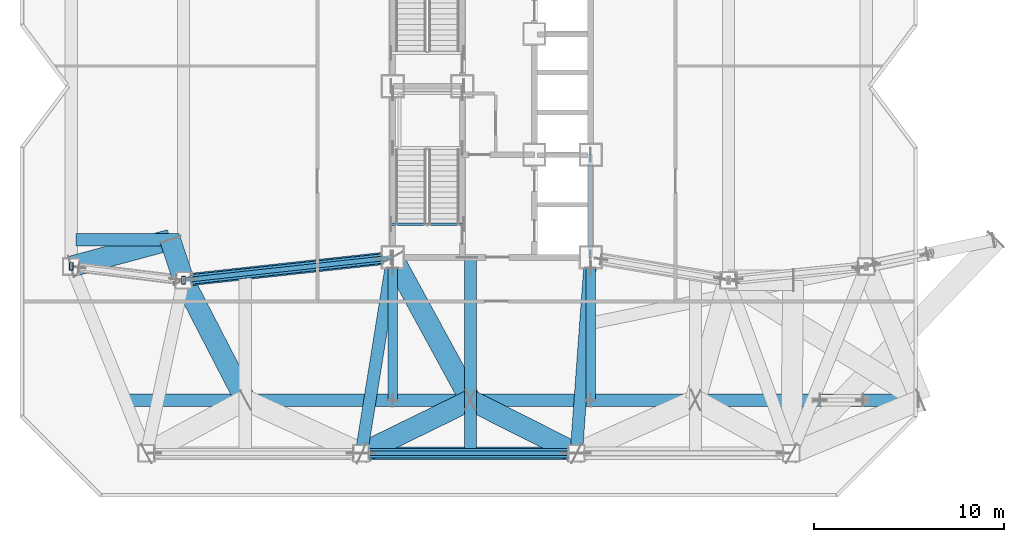
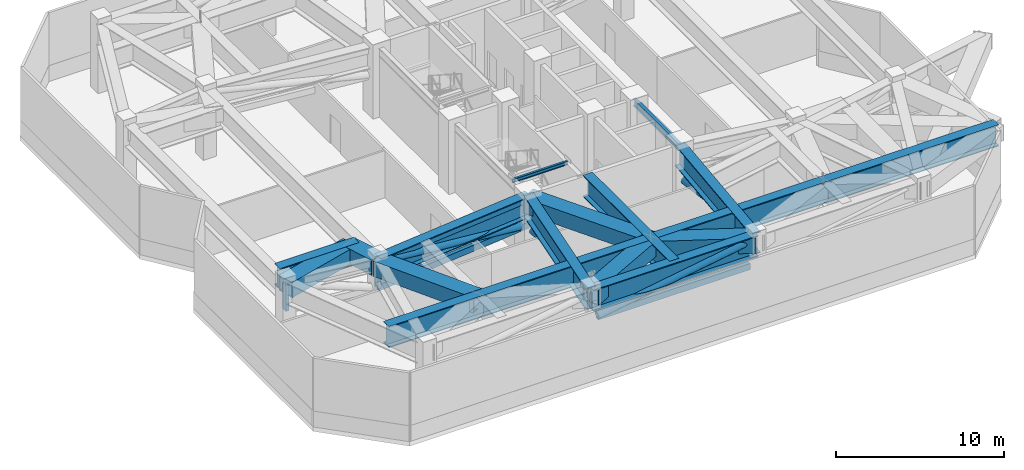
# One storey, part 2 of 19: 15 beams, 9 members.
"""IFC4 building model written with IfcOpenShell, lengths in metres."""

from ifc_helpers import new_model, si_unit, direction, frame, origin, origin_2d, place, context, subcontext, project, spatial, hollow_rectangle, hollow_circle, i_section, extrude, material, material_profile, profile_set, type_object, element, save


model = new_model("IFC4")

# Units and contexts
model_context = context("Model", 3, precision=1e-05, world=origin(), true_north=direction((0.0, 1.0)))
body_context = subcontext(model_context, "Body", "Model", "MODEL_VIEW")
ifc_project = project(units=[si_unit("LENGTHUNIT", "METRE"), si_unit("AREAUNIT", "SQUARE_METRE"), si_unit("VOLUMEUNIT", "CUBIC_METRE"), si_unit("PLANEANGLEUNIT", "RADIAN"), si_unit("MASSUNIT", "GRAM", prefix="KILO")], contexts=[model_context])

# Site, building, storey
site_placement = place(None, origin())
site = spatial("IfcSite", under=ifc_project, at=site_placement, CompositionType="ELEMENT")
building_placement = place(site_placement, origin())
building = spatial("IfcBuilding", under=site, at=building_placement, Name="Khamvora Tower", CompositionType="ELEMENT")
storey_placement = place(building_placement, frame((0.0, 0.0, 150.5)))
storey = spatial("IfcBuildingStorey", under=building, at=storey_placement, Name="L38", CompositionType="ELEMENT", Elevation=150.5)

# Beams
ifc_material_1 = material(Name="Steel S355", Category="steel")
ifc_material_profile_1 = material_profile(ifc_material_1, i_section(OverallWidth=0.14697265625, OverallDepth=0.261962890625, WebThickness=0.007080078125, FlangeThickness=0.010986328125, FilletRadius=0.008056640625, at=origin_2d()), Name="W250x39")
ifc_profile_set_1 = profile_set([ifc_material_profile_1], Name="Steel S355")
beam_type_1 = type_object("IfcBeamType", Name="BM-LN-W250x39", PredefinedType="LINTEL", material=ifc_profile_set_1)
beam_1_placement = place(storey_placement, frame((28.89990234375, 20.75, 4.85400390625), z_axis=(1.0, 0.0, 0.0), x_axis=(0.0, 1.0, 0.0)))
element("IfcBeam", 1, at=beam_1_placement, inside=storey, type_object=beam_type_1, Name="L38 exit stair ST-01 landing trimmer beam", PredefinedType="LINTEL", context=body_context, shape_type="SweptSolid", body=[
    extrude(i_section(OverallWidth=0.14697265625, OverallDepth=0.261962890625, WebThickness=0.007080078125, FlangeThickness=0.010986328125, FilletRadius=0.008056640625, at=origin_2d()), origin(), (0.0, 0.0, 1.0), 3.830078125),
])
ifc_material_profile_2 = material_profile(ifc_material_1, i_section(OverallWidth=0.208984375, OverallDepth=0.532958984375, WebThickness=0.010009765625, FlangeThickness=0.01611328125, FilletRadius=0.013916015625, at=origin_2d()), Name="W530x92")
ifc_profile_set_2 = profile_set([ifc_material_profile_2], Name="Steel S355")
beam_type_2 = type_object("IfcBeamType", Name="BM-SP-W530x92", PredefinedType="SPANDREL", material=ifc_profile_set_2)
beam_2_placement = place(storey_placement, frame((39.39990234375, 19.0, 4.712890625), z_axis=(0.0, 1.0, 0.0), x_axis=(-1.0, 0.0, 0.0)))
element("IfcBeam", 2, at=beam_2_placement, inside=storey, type_object=beam_type_2, Name="L38 core spine girder ES", PredefinedType="SPANDREL", context=body_context, shape_type="SweptSolid", body=[
    extrude(i_section(OverallWidth=0.208984375, OverallDepth=0.532958984375, WebThickness=0.010009765625, FlangeThickness=0.01611328125, FilletRadius=0.013916015625, at=origin_2d()), origin(), (0.0, 0.0, 1.0), 5.39990234375),
])
ifc_material_2 = material(Name="Steel S460", Category="steel")
ifc_material_profile_3 = material_profile(ifc_material_2, hollow_rectangle(XDim=1.10009765625, YDim=1.10009765625, WallThickness=0.054931640625, at=origin_2d()), Name="BOX1100x1100x55")
ifc_profile_set_3 = profile_set([ifc_material_profile_3], Name="Steel S460")
beam_type_3 = type_object("IfcBeamType", Name="BM-TG-BOX1100", PredefinedType="BEAM", material=ifc_profile_set_3)
beam_3_placement = place(storey_placement, frame((18.0, 17.800048828125, 4.429931640625), z_axis=(0.458460439456, -0.888714816718, 0.0), x_axis=(0.888714816718, 0.458460439456, 0.0)))
element("IfcBeam", 3, at=beam_3_placement, inside=storey, type_object=beam_type_3, Name="L38 Zone Transfer Truss frame transfer link S1.3", PredefinedType="BEAM", context=body_context, shape_type="SweptSolid", body=[
    extrude(hollow_rectangle(XDim=1.10009765625, YDim=1.10009765625, WallThickness=0.054931640625, at=origin_2d()), origin(), (0.0, 0.0, 1.0), 7.0888671875),
])
beam_4_placement = place(storey_placement, frame((38.64990234375, 8.699951171875, 4.429931640625), z_axis=(-0.893358983494, 0.449343662034, 0.0), x_axis=(-0.449343662034, -0.893358983494, 0.0)))
element("IfcBeam", 4, at=beam_4_placement, inside=storey, type_object=beam_type_3, Name="L38 Zone Transfer Truss frame transfer link S2.1", PredefinedType="BEAM", context=body_context, shape_type="SweptSolid", body=[
    extrude(hollow_rectangle(XDim=1.10009765625, YDim=1.10009765625, WallThickness=0.054931640625, at=origin_2d()), origin(), (0.0, 0.0, 1.0), 6.2314453125),
])
beam_5_placement = place(storey_placement, frame((27.35009765625, 8.699951171875, 4.429931640625), z_axis=(0.898551724598, 0.438867631778, 0.0), x_axis=(-0.438867631778, 0.898551724598, 0.0)))
element("IfcBeam", 5, at=beam_5_placement, inside=storey, type_object=beam_type_3, Name="L38 Zone Transfer Truss frame transfer link S2.2", PredefinedType="BEAM", context=body_context, shape_type="SweptSolid", body=[
    extrude(hollow_rectangle(XDim=1.10009765625, YDim=1.10009765625, WallThickness=0.054931640625, at=origin_2d()), origin(), (0.0, 0.0, 1.0), 6.380126953125),
])
beam_6_placement = place(storey_placement, frame((29.0, 19.0, 4.429931640625), z_axis=(0.478138862063, -0.878284252725, 0.0), x_axis=(0.878284252725, 0.478138862063, 0.0)))
element("IfcBeam", 6, at=beam_6_placement, inside=storey, type_object=beam_type_3, Name="L38 Zone Transfer Truss frame transfer link S2.3", PredefinedType="BEAM", context=body_context, shape_type="SweptSolid", body=[
    extrude(hollow_rectangle(XDim=1.10009765625, YDim=1.10009765625, WallThickness=0.054931640625, at=origin_2d()), origin(), (0.0, 0.0, 1.0), 8.539306640625),
])
beam_7_placement = place(storey_placement, frame((18.0, 17.800048828125, 4.429931640625), z_axis=(-0.312853886784, 0.949801266331, 0.0), x_axis=(-0.949801266331, -0.312853886784, 0.0)))
element("IfcBeam", 7, at=beam_7_placement, inside=storey, type_object=beam_type_3, Name="L38 Zone Transfer Truss frame transfer link W1.1", PredefinedType="BEAM", context=body_context, shape_type="SweptSolid", body=[
    extrude(hollow_rectangle(XDim=1.10009765625, YDim=1.10009765625, WallThickness=0.054931640625, at=origin_2d()), origin(), (0.0, 0.0, 1.0), 2.2373046875),
])
beam_8_placement = place(storey_placement, frame((12.10009765625, 18.52490234375, 4.429931640625), z_axis=(0.965608316792, 0.260001112578, 0.0), x_axis=(-0.260001112578, 0.965608316792, 0.0)))
element("IfcBeam", 8, at=beam_8_placement, inside=storey, type_object=beam_type_3, Name="L38 Zone Transfer Truss frame transfer link W1.2", PredefinedType="BEAM", context=body_context, shape_type="SweptSolid", body=[
    extrude(hollow_rectangle(XDim=1.10009765625, YDim=1.10009765625, WallThickness=0.054931640625, at=origin_2d()), origin(), (0.0, 0.0, 1.0), 5.38525390625),
])
ifc_material_profile_4 = material_profile(ifc_material_2, i_section(OverallWidth=0.64990234375, OverallDepth=1.550048828125, WebThickness=0.0400390625, FlangeThickness=0.06494140625, at=origin_2d()), Name="PG1550x650x40x65")
ifc_profile_set_4 = profile_set([ifc_material_profile_4], Name="Steel S460")
beam_type_4 = type_object("IfcBeamType", Name="BM-TG-PG1800", PredefinedType="BEAM", material=ifc_profile_set_4)
beam_9_placement = place(storey_placement, frame((27.35009765625, 8.699951171875, 4.205078125), z_axis=(1.0, 0.0, 0.0), x_axis=(0.0, 1.0, 0.0)))
element("IfcBeam", 9, at=beam_9_placement, inside=storey, type_object=beam_type_4, Name="L38 perimeter spandrel beam S2-S3", PredefinedType="BEAM", context=body_context, shape_type="SweptSolid", body=[
    extrude(i_section(OverallWidth=0.64990234375, OverallDepth=1.550048828125, WebThickness=0.0400390625, FlangeThickness=0.06494140625, at=origin_2d()), origin(), (0.0, 0.0, 1.0), 11.2998046875),
])
beam_10_placement = place(storey_placement, frame((29.0, 19.0, 4.205078125), z_axis=(-0.158167584066, -0.987412282358, 0.0), x_axis=(0.987412282358, -0.158167584066, 0.0)))
element("IfcBeam", 10, at=beam_10_placement, inside=storey, type_object=beam_type_4, Name="L38 primary floor girder S2", PredefinedType="BEAM", context=body_context, shape_type="SweptSolid", body=[
    extrude(i_section(OverallWidth=0.64990234375, OverallDepth=1.550048828125, WebThickness=0.0400390625, FlangeThickness=0.06494140625, at=origin_2d()), origin(), (0.0, 0.0, 1.0), 10.431396484375),
])
beam_11_placement = place(storey_placement, frame((39.39990234375, 19.0, 4.205078125), z_axis=(-0.07262291808, -0.997359469685, 0.0), x_axis=(0.997359469685, -0.07262291808, 0.0)))
element("IfcBeam", 11, at=beam_11_placement, inside=storey, type_object=beam_type_4, Name="L38 primary floor girder S3", PredefinedType="BEAM", context=body_context, shape_type="SweptSolid", body=[
    extrude(i_section(OverallWidth=0.64990234375, OverallDepth=1.550048828125, WebThickness=0.0400390625, FlangeThickness=0.06494140625, at=origin_2d()), origin(), (0.0, 0.0, 1.0), 10.327392578125),
])
beam_12_placement = place(storey_placement, frame((29.0, 19.0, 4.205078125), z_axis=(-0.994102652327, -0.108443149329, 0.0), x_axis=(0.108443149329, -0.994102652327, 0.0)))
element("IfcBeam", 12, at=beam_12_placement, inside=storey, type_object=beam_type_4, Name="L38 primary floor girder MW1", PredefinedType="BEAM", context=body_context, shape_type="SweptSolid", body=[
    extrude(i_section(OverallWidth=0.64990234375, OverallDepth=1.550048828125, WebThickness=0.0400390625, FlangeThickness=0.06494140625, at=origin_2d()), origin(), (0.0, 0.0, 1.0), 11.065185546875),
])
beam_13_placement = place(storey_placement, frame((33.0830078125, 8.699951171875, 4.205078125), z_axis=(0.0, 1.0, 0.0), x_axis=(-1.0, 0.0, 0.0)))
element("IfcBeam", 13, at=beam_13_placement, inside=storey, type_object=beam_type_4, Name="L38 Zone Transfer Truss Box Girder S2", PredefinedType="BEAM", context=body_context, shape_type="SweptSolid", body=[
    extrude(i_section(OverallWidth=0.64990234375, OverallDepth=1.550048828125, WebThickness=0.0400390625, FlangeThickness=0.06494140625, at=origin_2d()), origin(), (0.0, 0.0, 1.0), 10.300048828125),
])
beam_14_placement = place(storey_placement, frame((14.924072265625, 11.5, 4.205078125), z_axis=(1.0, 0.0, 0.0), x_axis=(0.0, 1.0, 0.0)))
element("IfcBeam", 14, at=beam_14_placement, inside=storey, type_object=beam_type_4, Name="L38 Zone Transfer Truss Upper Box Girder S4", PredefinedType="BEAM", context=body_context, shape_type="SweptSolid", body=[
    extrude(i_section(OverallWidth=0.64990234375, OverallDepth=1.550048828125, WebThickness=0.0400390625, FlangeThickness=0.06494140625, at=origin_2d()), origin(), (0.0, 0.0, 1.0), 41.825927734375),
])
beam_15_placement = place(storey_placement, frame((12.340087890625, 19.925048828125, 4.205078125), z_axis=(1.0, 0.0, 0.0), x_axis=(0.0, 1.0, 0.0)))
element("IfcBeam", 15, at=beam_15_placement, inside=storey, type_object=beam_type_4, Name="L38 Zone Transfer Truss Box Girder W1", PredefinedType="BEAM", context=body_context, shape_type="SweptSolid", body=[
    extrude(i_section(OverallWidth=0.64990234375, OverallDepth=1.550048828125, WebThickness=0.0400390625, FlangeThickness=0.06494140625, at=origin_2d()), origin(), (0.0, 0.0, 1.0), 5.419921875),
])

# Members
ifc_material_profile_5 = material_profile(ifc_material_2, hollow_circle(Radius=0.25390625, WallThickness=0.02490234375, at=origin_2d()), Name="CHS508x25")
ifc_profile_set_5 = profile_set([ifc_material_profile_5], Name="Steel S460")
member_type_1 = type_object("IfcMemberType", Name="MEM-BR-CHS508", PredefinedType="BRACE", material=ifc_profile_set_5)
member_1_placement = place(storey_placement, frame((27.77392578125, 8.699951171875, 2.830078125), z_axis=(0.98657765898, 0.0, 0.163292751834), x_axis=(0.0, 1.0, 0.0)))
element("IfcMember", 16, at=member_1_placement, inside=storey, type_object=member_type_1, Name="L38 Perimeter Belt Truss Diagonal 1.2", PredefinedType="BRACE", context=body_context, shape_type="SweptSolid", body=[
    extrude(hollow_circle(Radius=0.25390625, WallThickness=0.02490234375, at=origin_2d()), origin(), (0.0, 0.0, 1.0), 10.59423828125),
])
ifc_material_profile_6 = material_profile(ifc_material_2, hollow_circle(Radius=0.25390625, WallThickness=0.02490234375, at=origin_2d()), Name="CHS508x25")
ifc_profile_set_6 = profile_set([ifc_material_profile_6], Name="Steel S460")
member_type_2 = type_object("IfcMemberType", Name="MEM-BR-CHS508I", PredefinedType="BRACE", material=ifc_profile_set_6)
member_2_placement = place(storey_placement, frame((28.430908203125, 18.93798828125, 2.85693359375), z_axis=(-0.980211419793, -0.106936066943, 0.166584063148), x_axis=(0.108451431007, -0.994101748873, 0.0)))
element("IfcMember", 17, at=member_2_placement, inside=storey, type_object=member_type_2, Name="L38 Outrigger Truss Web Diagonal 1", PredefinedType="BRACE", context=body_context, shape_type="SweptSolid", body=[
    extrude(hollow_circle(Radius=0.25390625, WallThickness=0.02490234375, at=origin_2d()), origin(), (0.0, 0.0, 1.0), 10.212158203125),
])
for number, where, z_axis, x_axis, name in (
    (18, (29.0, 18.426025390625, 2.633056640625), (0.0, -0.989801017456, 0.142456820976), (1.0, 0.0, 0.0), "L38 Transfer Girder Raking Strut S4.1"),
    (19, (39.39990234375, 18.426025390625, 2.633056640625), (0.0, -0.989801017456, 0.142456820976), (1.0, 0.0, 0.0), "L38 Transfer Girder Raking Strut S4.2"),
):
    element("IfcMember", number, at=place(storey_placement, frame(where, z_axis=z_axis, x_axis=x_axis)), inside=storey, type_object=member_type_2, Name=name, PredefinedType="BRACE", context=body_context, shape_type="SweptSolid", body=[
        extrude(hollow_circle(Radius=0.25390625, WallThickness=0.02490234375, at=origin_2d()), origin(), (0.0, 0.0, 1.0), 6.997314453125),
    ])
ifc_material_profile_7 = material_profile(ifc_material_2, hollow_rectangle(XDim=0.25, YDim=0.449951171875, WallThickness=0.01611328125, at=origin_2d()), Name="RHS450x250x16")
ifc_profile_set_7 = profile_set([ifc_material_profile_7], Name="Steel S460")
member_type_3 = type_object("IfcMemberType", Name="MEM-CH-RHS450", PredefinedType="CHORD", material=ifc_profile_set_7)
for number, where, z_axis, x_axis, name in (
    (20, (29.0, 19.0, 4.6298828125), (-0.994102652327, -0.108443149329, 0.0), (0.108443149329, -0.994102652327, 0.0), "L38 Outrigger Truss Top Chord 1"),
    (21, (29.0, 19.0, 2.760009765625), (-0.994102652327, -0.108443149329, 0.0), (0.108443149329, -0.994102652327, 0.0), "L38 Outrigger Truss Bottom Chord 1"),
):
    element("IfcMember", number, at=place(storey_placement, frame(where, z_axis=z_axis, x_axis=x_axis)), inside=storey, type_object=member_type_3, Name=name, PredefinedType="CHORD", context=body_context, shape_type="SweptSolid", body=[
        extrude(hollow_rectangle(XDim=0.25, YDim=0.449951171875, WallThickness=0.01611328125, at=origin_2d()), origin(), (0.0, 0.0, 1.0), 11.065185546875),
    ])
member_3_placement = place(storey_placement, frame((27.780029296875, 8.699951171875, 2.760009765625), z_axis=(1.0, 0.0, 0.0), x_axis=(0.0, 1.0, 0.0)))
element("IfcMember", 22, at=member_3_placement, inside=storey, type_object=member_type_3, Name="L38 Perimeter Belt Truss Bottom Chord 1.2", PredefinedType="CHORD", context=body_context, shape_type="SweptSolid", body=[
    extrude(hollow_rectangle(XDim=0.25, YDim=0.449951171875, WallThickness=0.01611328125, at=origin_2d()), origin(), (0.0, 0.0, 1.0), 10.43994140625),
])
ifc_material_profile_8 = material_profile(ifc_material_1, hollow_rectangle(XDim=0.199951171875, YDim=0.39990234375, WallThickness=0.01611328125, at=origin_2d()), Name="RHS400x200x16")
ifc_profile_set_8 = profile_set([ifc_material_profile_8], Name="Steel S355")
member_type_4 = type_object("IfcMemberType", Name="MEM-PS-RHS400", PredefinedType="POST", material=ifc_profile_set_8)
for number, where, z_axis, x_axis, name in (
    (23, (18.0, 17.800048828125, 2.760009765625), (0.0, 0.0, 1.0), (1.0, 0.0, 0.0), "L38 Outrigger Truss Post 1"),
    (24, (12.10009765625, 18.52490234375, 2.760009765625), (0.0, 0.0, 1.0), (1.0, 0.0, 0.0), "L38 Outrigger Truss Post 2"),
):
    element("IfcMember", number, at=place(storey_placement, frame(where, z_axis=z_axis, x_axis=x_axis)), inside=storey, type_object=member_type_4, Name=name, PredefinedType="POST", context=body_context, shape_type="SweptSolid", body=[
        extrude(hollow_rectangle(XDim=0.199951171875, YDim=0.39990234375, WallThickness=0.01611328125, at=origin_2d()), origin(), (0.0, 0.0, 1.0), 1.869873046875),
    ])

save(model, "model.ifc")
